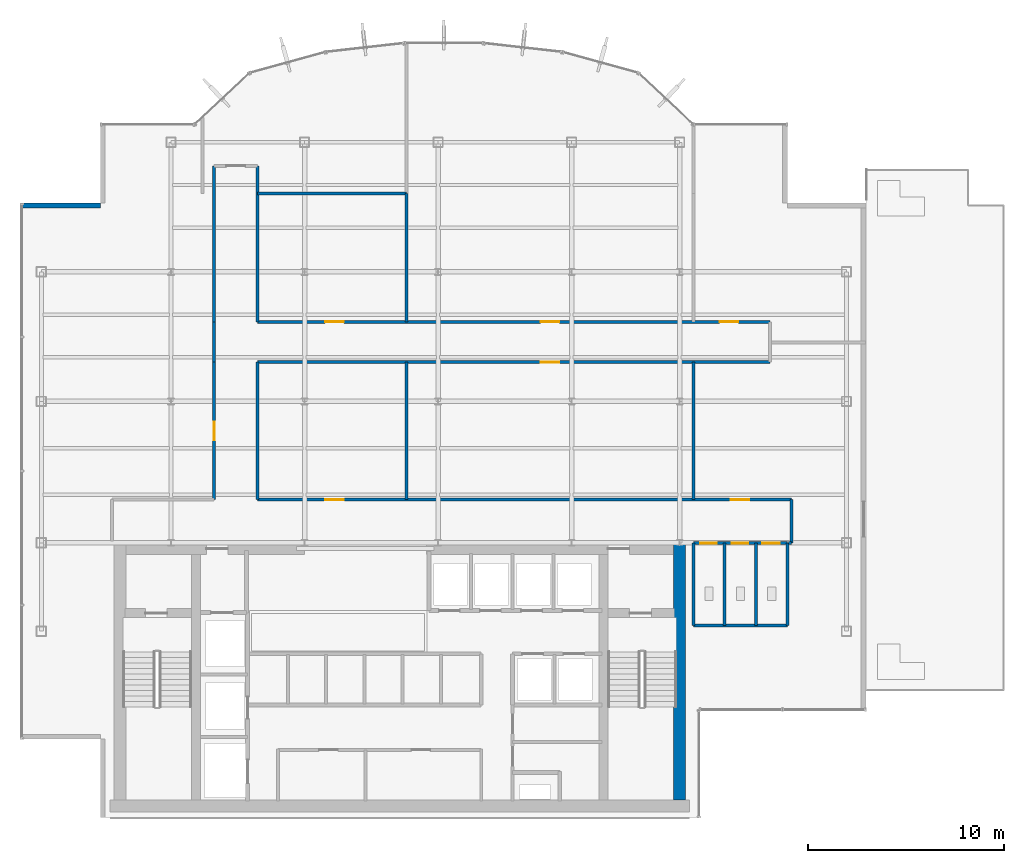
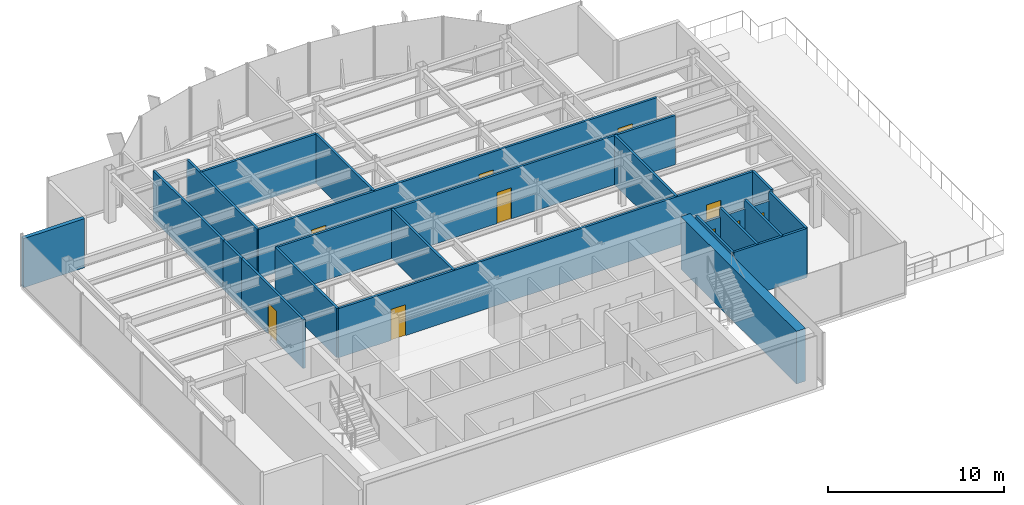
# One storey, part 17 of 21: 22 walls, 10 doors, 10 openings.
"""IFC4 building model written with IfcOpenShell, lengths in metres."""

from ifc_helpers import new_model, si_unit, derived_unit, direction, frame, frame_2d, origin, place, context, subcontext, project, spatial, rectangle, extrude, source, transform, mapped, material, layer, layer_set, type_object, element, fill, save


model = new_model("IFC4")

# Units and contexts
model_context = context("Model", 3, precision=1e-05, world=origin(), true_north=direction((0.0, 1.0)))
body_context = subcontext(model_context, "Body", "Model", "MODEL_VIEW")
ifc_project = project(units=[si_unit("LENGTHUNIT", "METRE"), si_unit("AREAUNIT", "SQUARE_METRE"), si_unit("VOLUMEUNIT", "CUBIC_METRE"), si_unit("PLANEANGLEUNIT", "RADIAN"), si_unit("MASSUNIT", "GRAM", prefix="KILO"), derived_unit("THERMALTRANSMITTANCEUNIT", [(si_unit("POWERUNIT", "WATT"), 1), (si_unit("LENGTHUNIT", "METRE"), -2), (si_unit("THERMODYNAMICTEMPERATUREUNIT", "KELVIN"), -1)])], contexts=[model_context])

# Site, building, storey
site_placement = place(None, origin())
site = spatial("IfcSite", under=ifc_project, at=site_placement, CompositionType="ELEMENT")
building_placement = place(site_placement, origin())
building = spatial("IfcBuilding", under=site, at=building_placement, Name="Skarnbrae Concourse Arena and Tower", CompositionType="ELEMENT")
storey_placement = place(building_placement, frame((0.0, 0.0, 188.60009765625)))
storey = spatial("IfcBuildingStorey", under=building, at=storey_placement, Name="L48", CompositionType="ELEMENT", Elevation=188.60009765625)

# Walls
ifc_material_1 = material(Name="Concrete 50 MPa (C50/60)", Category="concrete")
ifc_layer_1 = layer(ifc_material_1, 0.60009765625)
ifc_layer_set_1 = layer_set([ifc_layer_1], Name="Concrete 50 MPa (C50/60)")
wall_type_1 = type_object("IfcWallType", Name="WALL-CORE-600-C50", PredefinedType="SHEAR", material=ifc_layer_set_1)
shared_shape_1 = source(origin(), body_context, "Body", "SweptSolid", [
    extrude(rectangle(XDim=13.10009765625, YDim=0.60009765625, at=frame_2d((6.550048828125, 0.0))), origin(), (0.0, 0.0, 1.0), 3.64990234375),
])
wall_1_placement = place(storey_placement, frame((33.5, 0.89990234375, 0.0), z_axis=(0.0, 0.0, 1.0), x_axis=(0.0, 1.0, 0.0)))
element("IfcWall", 1, at=wall_1_placement, inside=storey, type_object=wall_type_1, Name="L48 Rear core shear wall CW-E", PredefinedType="SHEAR", context=body_context, shape_type="MappedRepresentation", body=[
    mapped(shared_shape_1, transform((0.0, 0.0, 0.0))),
])
ifc_material_2 = material(Name="Precast concrete 40 MPa (C40/50)", Category="concrete")
ifc_layer_2 = layer(ifc_material_2, 0.25)
ifc_layer_set_2 = layer_set([ifc_layer_2], Name="Precast concrete 40 MPa (C40/50)")
wall_type_2 = type_object("IfcWallType", Name="WALL-EXT-SPANDREL-250", PredefinedType="STANDARD", material=ifc_layer_set_2)
shared_shape_2 = source(origin(), body_context, "Body", "SweptSolid", [
    extrude(rectangle(XDim=4.0, YDim=0.25, at=frame_2d((2.0, 0.0))), origin(), (0.0, 0.0, 1.0), 3.39990234375),
])
wall_2_placement = place(storey_placement, frame((4.0, 31.175048828125, 0.0), z_axis=(0.0, 0.0, 1.0), x_axis=(-1.0, 0.0, 0.0)))
element("IfcWall", 2, at=wall_2_placement, inside=storey, type_object=wall_type_2, Name="L48 Notched corner insulated return wall 17", PredefinedType="STANDARD", context=body_context, shape_type="MappedRepresentation", body=[
    mapped(shared_shape_2, transform((0.0, 0.0, 0.0))),
])
ifc_material_3 = material(Name="Gypsum board on cold-formed steel studs", Category="steel")
ifc_layer_3 = layer(ifc_material_3, 0.14990234375)
ifc_layer_set_3 = layer_set([ifc_layer_3], Name="Gypsum board on cold-formed steel studs")
wall_type_3 = type_object("IfcWallType", Name="WALL-PART-150", PredefinedType="PARTITIONING", material=ifc_layer_set_3)
shared_shape_3 = source(origin(), body_context, "Body", "SweptSolid", [
    extrude(rectangle(XDim=4.800048828125, YDim=0.14990234375, at=frame_2d((2.39990234375, 0.0))), origin(), (0.0, 0.0, 1.0), 3.39990234375),
])
wall_3_placement = place(storey_placement, frame((34.199951171875, 9.800048828125, 0.0), z_axis=(0.0, 0.0, 1.0), x_axis=(1.0, 0.0, 0.0)))
element("IfcWall", 3, at=wall_3_placement, inside=storey, type_object=wall_type_3, Name="L48 Interior partition wall W-L48-WC-S", PredefinedType="PARTITIONING", context=body_context, shape_type="MappedRepresentation", body=[
    mapped(shared_shape_3, transform((0.0, 0.0, 0.0))),
])
shared_shape_4 = source(origin(), body_context, "Body", "SweptSolid", [
    extrude(rectangle(XDim=4.179931640625, YDim=0.14990234375, at=frame_2d((2.08984375, 0.0))), origin(), (0.0, 0.0, 1.0), 3.39990234375),
])
for number, where, z_axis, x_axis, name in (
    (4, (39.0, 9.800048828125, 0.0), (0.0, 0.0, 1.0), (0.0, 1.0, 0.0), "L48 Interior partition wall W-L48-WC-E"),
    (5, (34.199951171875, 9.800048828125, 0.0), (0.0, 0.0, 1.0), (0.0, 1.0, 0.0), "L48 Interior partition wall W-L48-WC-W"),
    (6, (35.800048828125, 9.800048828125, 0.0), (0.0, 0.0, 1.0), (0.0, 1.0, 0.0), "L48 Interior partition wall W-L48-WC-D1"),
    (7, (37.39990234375, 9.800048828125, 0.0), (0.0, 0.0, 1.0), (0.0, 1.0, 0.0), "L48 Interior partition wall W-L48-WC-D2"),
):
    element("IfcWall", number, at=place(storey_placement, frame(where, z_axis=z_axis, x_axis=x_axis)), inside=storey, type_object=wall_type_3, Name=name, PredefinedType="PARTITIONING", context=body_context, shape_type="MappedRepresentation", body=[
        mapped(shared_shape_4, transform((0.0, 0.0, 0.0))),
    ])
ifc_layer_4 = layer(ifc_material_3, 0.14990234375)
ifc_layer_set_4 = layer_set([ifc_layer_4], Name="Gypsum board on cold-formed steel studs")
wall_type_4 = type_object("IfcWallType", Name="WALL-PART-150-1HR", PredefinedType="PARTITIONING", material=ifc_layer_set_4)
shared_shape_5 = source(origin(), body_context, "Body", "SweptSolid", [
    extrude(rectangle(XDim=2.050048828125, YDim=0.14990234375, at=frame_2d((1.02490234375, 0.0))), origin(), (0.0, 0.0, 1.0), 3.39990234375),
])
wall_4_placement = place(storey_placement, frame((9.800048828125, 23.199951171875, 0.0), z_axis=(0.0, 0.0, 1.0), x_axis=(0.0, 1.0, 0.0)))
element("IfcWall", 8, at=wall_4_placement, inside=storey, type_object=wall_type_4, Name="L48 Interior partition wall W-L48-COR-04", PredefinedType="PARTITIONING", context=body_context, shape_type="MappedRepresentation", body=[
    mapped(shared_shape_5, transform((0.0, 0.0, 0.0))),
])
shared_shape_6 = source(origin(), body_context, "Body", "SweptSolid", [
    extrude(rectangle(XDim=2.199951171875, YDim=0.14990234375, at=frame_2d((1.10009765625, 0.0))), origin(), (0.0, 0.0, 1.0), 3.39990234375),
])
wall_5_placement = place(storey_placement, frame((39.199951171875, 16.199951171875, 0.0), z_axis=(0.0, 0.0, 1.0), x_axis=(0.0, -1.0, 0.0)))
element("IfcWall", 9, at=wall_5_placement, inside=storey, type_object=wall_type_4, Name="L48 Interior partition wall W-L48-COR-13", PredefinedType="PARTITIONING", context=body_context, shape_type="MappedRepresentation", body=[
    mapped(shared_shape_6, transform((0.0, 0.0, 0.0))),
])
shared_shape_7 = source(origin(), body_context, "Body", "SweptSolid", [
    extrude(rectangle(XDim=7.60009765625, YDim=0.14990234375, at=frame_2d((3.800048828125, 0.0))), origin(), (0.0, 0.0, 1.0), 3.39990234375),
])
wall_6_placement = place(storey_placement, frame((19.60009765625, 31.800048828125, 0.0), z_axis=(0.0, 0.0, 1.0), x_axis=(-1.0, 0.0, 0.0)))
element("IfcWall", 10, at=wall_6_placement, inside=storey, type_object=wall_type_3, Name="L48 Interior partition wall W-L48-DEM-16", PredefinedType="PARTITIONING", context=body_context, shape_type="MappedRepresentation", body=[
    mapped(shared_shape_7, transform((0.0, 0.0, 0.0))),
])

# Wall, openings, doors
shared_shape_8 = source(origin(), body_context, "Body", "SweptSolid", [
    extrude(rectangle(XDim=4.800048828125, YDim=0.14990234375, at=frame_2d((2.39990234375, 0.0))), origin(), (0.0, 0.0, 1.0), 2.786865234375),
])
wall_7_placement = place(storey_placement, frame((34.199951171875, 13.97998046875, 0.0), z_axis=(0.0, 0.0, 1.0), x_axis=(1.0, 0.0, 0.0)))
wall_7 = element("IfcWall", 11, at=wall_7_placement, inside=storey, type_object=wall_type_3, Name="L48 Interior partition wall W-L48-WC-N", PredefinedType="PARTITIONING", context=body_context, shape_type="MappedRepresentation", body=[
    mapped(shared_shape_8, transform((0.0, 0.0, 0.0))),
])
opening_1_placement = place(wall_7_placement, frame((0.35009765625, 0.0, 0.0)))
opening_1 = element("IfcOpeningElement", 12, at=opening_1_placement, cuts=wall_7, Name="Opening DT-06", PredefinedType="OPENING", context=body_context, shape_type="SweptSolid", body=[
    extrude(rectangle(XDim=0.85009765625, YDim=2.10009765625, at=frame_2d((0.425048828125, 1.050048828125))), frame((0.0, 0.0849609375, 0.0), z_axis=(0.0, -1.0, 0.0), x_axis=(1.0, 0.0, 0.0)), (0.0, 0.0, 1.0), 0.169921875),
])
opening_2_placement = place(wall_7_placement, frame((1.949951171875, 0.0, 0.0)))
opening_2 = element("IfcOpeningElement", 13, at=opening_2_placement, cuts=wall_7, Name="Opening DT-06", PredefinedType="OPENING", context=body_context, shape_type="SweptSolid", body=[
    extrude(rectangle(XDim=0.85009765625, YDim=2.10009765625, at=frame_2d((0.425048828125, 1.050048828125))), frame((0.0, 0.0849609375, 0.0), z_axis=(0.0, -1.0, 0.0), x_axis=(1.0, 0.0, 0.0)), (0.0, 0.0, 1.0), 0.169921875),
])
opening_3_placement = place(wall_7_placement, frame((3.5, 0.0, 0.0)))
opening_3 = element("IfcOpeningElement", 14, at=opening_3_placement, cuts=wall_7, Name="Opening DT-05", PredefinedType="OPENING", context=body_context, shape_type="SweptSolid", body=[
    extrude(rectangle(XDim=0.89990234375, YDim=2.10009765625, at=frame_2d((0.449951171875, 1.050048828125))), frame((0.0, 0.0849609375, 0.0), z_axis=(0.0, -1.0, 0.0), x_axis=(1.0, 0.0, 0.0)), (0.0, 0.0, 1.0), 0.169921875),
])
ifc_material_4 = material(Name="Architectural oak veneer timber leaf", Category="wood")
door_type_1 = type_object("IfcDoorType", Name="DOOR-INT-850", OperationType="NOTDEFINED", PredefinedType="DOOR", material=ifc_material_4)
shared_shape_9 = source(origin(), body_context, "Body", "SweptSolid", [
    extrude(rectangle(XDim=0.85009765625, YDim=2.10009765625, at=frame_2d((0.425048828125, 1.050048828125))), frame((0.0, 0.02490234375, 0.0), z_axis=(0.0, -1.0, 0.0), x_axis=(1.0, 0.0, 0.0)), (0.0, 0.0, 1.0), 0.050048828125),
])
door_1_placement = place(opening_1_placement, frame((0.85009765625, 0.0, 0.0), z_axis=(0.0, 0.0, 1.0), x_axis=(-1.0, 0.0, 0.0)))
door_1 = element("IfcDoor", 15, at=door_1_placement, inside=storey, type_object=door_type_1, Name="D-1484 Male Washroom Door", OperationType="SINGLE_SWING_LEFT", OverallHeight=2.10009765625, OverallWidth=0.85009765625, PredefinedType="DOOR", context=body_context, shape_type="MappedRepresentation", body=[
    mapped(shared_shape_9, transform((0.0, 0.0, 0.0))),
])
fill(opening_1, door_1)
door_2_placement = place(opening_2_placement, frame((0.85009765625, 0.0, 0.0), z_axis=(0.0, 0.0, 1.0), x_axis=(-1.0, 0.0, 0.0)))
door_2 = element("IfcDoor", 16, at=door_2_placement, inside=storey, type_object=door_type_1, Name="D-1485 Female Washroom Door", OperationType="SINGLE_SWING_RIGHT", OverallHeight=2.10009765625, OverallWidth=0.85009765625, PredefinedType="DOOR", context=body_context, shape_type="MappedRepresentation", body=[
    mapped(shared_shape_9, transform((0.0, 0.0, 0.0))),
])
fill(opening_2, door_2)
door_type_2 = type_object("IfcDoorType", Name="DOOR-INT-900", OperationType="NOTDEFINED", PredefinedType="DOOR", material=ifc_material_4)
shared_shape_10 = source(origin(), body_context, "Body", "SweptSolid", [
    extrude(rectangle(XDim=0.89990234375, YDim=2.10009765625, at=frame_2d((0.449951171875, 1.050048828125))), frame((0.0, 0.02490234375, 0.0), z_axis=(0.0, -1.0, 0.0), x_axis=(1.0, 0.0, 0.0)), (0.0, 0.0, 1.0), 0.050048828125),
])
door_3_placement = place(opening_3_placement, frame((0.89990234375, 0.0, 0.0), z_axis=(0.0, 0.0, 1.0), x_axis=(-1.0, 0.0, 0.0)))
door_3 = element("IfcDoor", 17, at=door_3_placement, inside=storey, type_object=door_type_2, Name="D-1486 Accessible WC Door", OperationType="SINGLE_SWING_LEFT", OverallHeight=2.10009765625, OverallWidth=0.89990234375, PredefinedType="DOOR", context=body_context, shape_type="MappedRepresentation", body=[
    mapped(shared_shape_10, transform((0.0, 0.0, 0.0))),
])
fill(opening_3, door_3)

# Wall, opening, door
shared_shape_11 = source(origin(), body_context, "Body", "SweptSolid", [
    extrude(rectangle(XDim=7.0, YDim=0.14990234375, at=frame_2d((3.5, 0.0))), origin(), (0.0, 0.0, 1.0), 3.39990234375),
])
wall_8_placement = place(storey_placement, frame((9.800048828125, 16.199951171875, 0.0), z_axis=(0.0, 0.0, 1.0), x_axis=(0.0, 1.0, 0.0)))
wall_8 = element("IfcWall", 18, at=wall_8_placement, inside=storey, type_object=wall_type_4, Name="L48 Interior partition wall W-L48-COR-03", PredefinedType="PARTITIONING", context=body_context, shape_type="MappedRepresentation", body=[
    mapped(shared_shape_11, transform((0.0, 0.0, 0.0))),
])
opening_4_placement = place(wall_8_placement, frame((3.02490234375, 0.0, 0.0)))
opening_4 = element("IfcOpeningElement", 19, at=opening_4_placement, cuts=wall_8, Name="Opening DT-04", PredefinedType="OPENING", context=body_context, shape_type="SweptSolid", body=[
    extrude(rectangle(XDim=0.949951171875, YDim=2.14990234375, at=frame_2d((0.47509765625, 1.074951171875))), frame((0.0, 0.0849609375, 0.0), z_axis=(0.0, -1.0, 0.0), x_axis=(1.0, 0.0, 0.0)), (0.0, 0.0, 1.0), 0.169921875),
])
ifc_material_5 = material(Name="Steel CSA G40.21 350W", Category="steel")
door_type_3 = type_object("IfcDoorType", Name="DOOR-INT-950-45M", OperationType="NOTDEFINED", PredefinedType="DOOR", material=ifc_material_5)
shared_shape_12 = source(origin(), body_context, "Body", "SweptSolid", [
    extrude(rectangle(XDim=0.949951171875, YDim=2.14990234375, at=frame_2d((0.47509765625, 1.074951171875))), frame((0.0, 0.02490234375, 0.0), z_axis=(0.0, -1.0, 0.0), x_axis=(1.0, 0.0, 0.0)), (0.0, 0.0, 1.0), 0.050048828125),
])
door_4_placement = place(opening_4_placement, origin())
door_4 = element("IfcDoor", 20, at=door_4_placement, inside=storey, type_object=door_type_3, Name="D-1487 L48 Suite Door 01", OperationType="SINGLE_SWING_RIGHT", OverallHeight=2.14990234375, OverallWidth=0.949951171875, PredefinedType="DOOR", context=body_context, shape_type="MappedRepresentation", body=[
    mapped(shared_shape_12, transform((0.0, 0.0, 0.0))),
])
fill(opening_4, door_4)

# Walls
wall_9_placement = place(storey_placement, frame((12.0, 23.199951171875, 0.0), z_axis=(0.0, 0.0, 1.0), x_axis=(0.0, -1.0, 0.0)))
element("IfcWall", 21, at=wall_9_placement, inside=storey, type_object=wall_type_4, Name="L48 Interior partition wall W-L48-COR-11", PredefinedType="PARTITIONING", context=body_context, shape_type="MappedRepresentation", body=[
    mapped(shared_shape_11, transform((0.0, 0.0, 0.0))),
])
for number, where, z_axis, x_axis, name in (
    (22, (19.60009765625, 23.199951171875, 0.0), (0.0, 0.0, 1.0), (0.0, -1.0, 0.0), "L48 Interior partition wall W-L48-DEM-17"),
    (23, (34.199951171875, 23.199951171875, 0.0), (0.0, 0.0, 1.0), (0.0, -1.0, 0.0), "L48 Interior partition wall W-L48-DEM-20"),
):
    element("IfcWall", number, at=place(storey_placement, frame(where, z_axis=z_axis, x_axis=x_axis)), inside=storey, type_object=wall_type_3, Name=name, PredefinedType="PARTITIONING", context=body_context, shape_type="MappedRepresentation", body=[
        mapped(shared_shape_11, transform((0.0, 0.0, 0.0))),
    ])
shared_shape_13 = source(origin(), body_context, "Body", "SweptSolid", [
    extrude(rectangle(XDim=7.949951171875, YDim=0.14990234375, at=frame_2d((3.97509765625, 0.0))), origin(), (0.0, 0.0, 1.0), 3.39990234375),
])
for number, where, z_axis, x_axis, name in (
    (24, (9.800048828125, 25.25, 0.0), (0.0, 0.0, 1.0), (0.0, 1.0, 0.0), "L48 Interior partition wall W-L48-COR-05"),
    (25, (12.0, 33.199951171875, 0.0), (0.0, 0.0, 1.0), (0.0, -1.0, 0.0), "L48 Interior partition wall W-L48-COR-07"),
):
    element("IfcWall", number, at=place(storey_placement, frame(where, z_axis=z_axis, x_axis=x_axis)), inside=storey, type_object=wall_type_4, Name=name, PredefinedType="PARTITIONING", context=body_context, shape_type="MappedRepresentation", body=[
        mapped(shared_shape_13, transform((0.0, 0.0, 0.0))),
    ])

# Wall, openings, doors
shared_shape_14 = source(origin(), body_context, "Body", "SweptSolid", [
    extrude(rectangle(XDim=26.10009765625, YDim=0.14990234375, at=frame_2d((13.050048828125, 0.0))), origin(), (0.0, 0.0, 1.0), 3.39990234375),
])
wall_10_placement = place(storey_placement, frame((12.0, 25.25, 0.0), z_axis=(0.0, 0.0, 1.0), x_axis=(1.0, 0.0, 0.0)))
wall_10 = element("IfcWall", 26, at=wall_10_placement, inside=storey, type_object=wall_type_4, Name="L48 Interior partition wall W-L48-COR-08", PredefinedType="PARTITIONING", context=body_context, shape_type="MappedRepresentation", body=[
    mapped(shared_shape_14, transform((0.0, 0.0, 0.0))),
])
opening_5_placement = place(wall_10_placement, frame((3.455078125, 0.0, 0.0)))
opening_5 = element("IfcOpeningElement", 27, at=opening_5_placement, cuts=wall_10, Name="Opening DT-04", PredefinedType="OPENING", context=body_context, shape_type="SweptSolid", body=[
    extrude(rectangle(XDim=0.949951171875, YDim=2.14990234375, at=frame_2d((0.47509765625, 1.074951171875))), frame((0.0, 0.0849609375, 0.0), z_axis=(0.0, -1.0, 0.0), x_axis=(1.0, 0.0, 0.0)), (0.0, 0.0, 1.0), 0.169921875),
])
opening_6_placement = place(wall_10_placement, frame((14.425048828125, 0.0, 0.0)))
opening_6 = element("IfcOpeningElement", 28, at=opening_6_placement, cuts=wall_10, Name="Opening DT-04", PredefinedType="OPENING", context=body_context, shape_type="SweptSolid", body=[
    extrude(rectangle(XDim=0.949951171875, YDim=2.14990234375, at=frame_2d((0.47509765625, 1.074951171875))), frame((0.0, 0.0849609375, 0.0), z_axis=(0.0, -1.0, 0.0), x_axis=(1.0, 0.0, 0.0)), (0.0, 0.0, 1.0), 0.169921875),
])
opening_7_placement = place(wall_10_placement, frame((23.544921875, 0.0, 0.0)))
opening_7 = element("IfcOpeningElement", 29, at=opening_7_placement, cuts=wall_10, Name="Opening DT-04", PredefinedType="OPENING", context=body_context, shape_type="SweptSolid", body=[
    extrude(rectangle(XDim=0.949951171875, YDim=2.14990234375, at=frame_2d((0.47509765625, 1.074951171875))), frame((0.0, 0.0849609375, 0.0), z_axis=(0.0, -1.0, 0.0), x_axis=(1.0, 0.0, 0.0)), (0.0, 0.0, 1.0), 0.169921875),
])
door_5_placement = place(opening_5_placement, origin())
door_5 = element("IfcDoor", 30, at=door_5_placement, inside=storey, type_object=door_type_3, Name="D-1490 L48 Suite Door 04", OperationType="SINGLE_SWING_LEFT", OverallHeight=2.14990234375, OverallWidth=0.949951171875, PredefinedType="DOOR", context=body_context, shape_type="MappedRepresentation", body=[
    mapped(shared_shape_12, transform((0.0, 0.0, 0.0))),
])
fill(opening_5, door_5)
door_6_placement = place(opening_6_placement, origin())
door_6 = element("IfcDoor", 31, at=door_6_placement, inside=storey, type_object=door_type_3, Name="D-1491 L48 Suite Door 05", OperationType="SINGLE_SWING_RIGHT", OverallHeight=2.14990234375, OverallWidth=0.949951171875, PredefinedType="DOOR", context=body_context, shape_type="MappedRepresentation", body=[
    mapped(shared_shape_12, transform((0.0, 0.0, 0.0))),
])
fill(opening_6, door_6)
door_7_placement = place(opening_7_placement, origin())
door_7 = element("IfcDoor", 32, at=door_7_placement, inside=storey, type_object=door_type_3, Name="D-1493 L48 Suite Door 07", OperationType="SINGLE_SWING_RIGHT", OverallHeight=2.14990234375, OverallWidth=0.949951171875, PredefinedType="DOOR", context=body_context, shape_type="MappedRepresentation", body=[
    mapped(shared_shape_12, transform((0.0, 0.0, 0.0))),
])
fill(opening_7, door_7)

# Wall, opening, door
wall_11_placement = place(storey_placement, frame((38.10009765625, 23.199951171875, 0.0), z_axis=(0.0, 0.0, 1.0), x_axis=(-1.0, 0.0, 0.0)))
wall_11 = element("IfcWall", 33, at=wall_11_placement, inside=storey, type_object=wall_type_4, Name="L48 Interior partition wall W-L48-COR-10", PredefinedType="PARTITIONING", context=body_context, shape_type="MappedRepresentation", body=[
    mapped(shared_shape_14, transform((0.0, 0.0, 0.0))),
])
opening_8_placement = place(wall_11_placement, frame((10.72509765625, 0.0, 0.0)))
opening_8 = element("IfcOpeningElement", 34, at=opening_8_placement, cuts=wall_11, Name="Opening DT-04", PredefinedType="OPENING", context=body_context, shape_type="SweptSolid", body=[
    extrude(rectangle(XDim=0.949951171875, YDim=2.14990234375, at=frame_2d((0.47509765625, 1.074951171875))), frame((0.0, 0.0849609375, 0.0), z_axis=(0.0, -1.0, 0.0), x_axis=(1.0, 0.0, 0.0)), (0.0, 0.0, 1.0), 0.169921875),
])
door_8_placement = place(opening_8_placement, origin())
door_8 = element("IfcDoor", 35, at=door_8_placement, inside=storey, type_object=door_type_3, Name="D-1492 L48 Suite Door 06", OperationType="SINGLE_SWING_LEFT", OverallHeight=2.14990234375, OverallWidth=0.949951171875, PredefinedType="DOOR", context=body_context, shape_type="MappedRepresentation", body=[
    mapped(shared_shape_12, transform((0.0, 0.0, 0.0))),
])
fill(opening_8, door_8)

# Wall, openings, doors
shared_shape_15 = source(origin(), body_context, "Body", "SweptSolid", [
    extrude(rectangle(XDim=27.199951171875, YDim=0.14990234375, at=frame_2d((13.60009765625, 0.0))), origin(), (0.0, 0.0, 1.0), 3.39990234375),
])
wall_12_placement = place(storey_placement, frame((12.0, 16.199951171875, 0.0), z_axis=(0.0, 0.0, 1.0), x_axis=(1.0, 0.0, 0.0)))
wall_12 = element("IfcWall", 36, at=wall_12_placement, inside=storey, type_object=wall_type_4, Name="L48 Interior partition wall W-L48-COR-12", PredefinedType="PARTITIONING", context=body_context, shape_type="MappedRepresentation", body=[
    mapped(shared_shape_15, transform((0.0, 0.0, 0.0))),
])
opening_9_placement = place(wall_12_placement, frame((3.455078125, 0.0, 0.0)))
opening_9 = element("IfcOpeningElement", 37, at=opening_9_placement, cuts=wall_12, Name="Opening DT-04", PredefinedType="OPENING", context=body_context, shape_type="SweptSolid", body=[
    extrude(rectangle(XDim=0.949951171875, YDim=2.14990234375, at=frame_2d((0.47509765625, 1.074951171875))), frame((0.0, 0.0849609375, 0.0), z_axis=(0.0, -1.0, 0.0), x_axis=(1.0, 0.0, 0.0)), (0.0, 0.0, 1.0), 0.169921875),
])
opening_10_placement = place(wall_12_placement, frame((24.094970703125, 0.0, 0.0)))
opening_10 = element("IfcOpeningElement", 38, at=opening_10_placement, cuts=wall_12, Name="Opening DT-04", PredefinedType="OPENING", context=body_context, shape_type="SweptSolid", body=[
    extrude(rectangle(XDim=0.949951171875, YDim=2.14990234375, at=frame_2d((0.47509765625, 1.074951171875))), frame((0.0, 0.0849609375, 0.0), z_axis=(0.0, -1.0, 0.0), x_axis=(1.0, 0.0, 0.0)), (0.0, 0.0, 1.0), 0.169921875),
])
door_9_placement = place(opening_9_placement, origin())
door_9 = element("IfcDoor", 39, at=door_9_placement, inside=storey, type_object=door_type_3, Name="D-1489 L48 Suite Door 03", OperationType="SINGLE_SWING_RIGHT", OverallHeight=2.14990234375, OverallWidth=0.949951171875, PredefinedType="DOOR", context=body_context, shape_type="MappedRepresentation", body=[
    mapped(shared_shape_12, transform((0.0, 0.0, 0.0))),
])
fill(opening_9, door_9)
door_10_placement = place(opening_10_placement, origin())
door_10 = element("IfcDoor", 40, at=door_10_placement, inside=storey, type_object=door_type_3, Name="D-1494 L48 Suite Door 08", OperationType="SINGLE_SWING_LEFT", OverallHeight=2.14990234375, OverallWidth=0.949951171875, PredefinedType="DOOR", context=body_context, shape_type="MappedRepresentation", body=[
    mapped(shared_shape_12, transform((0.0, 0.0, 0.0))),
])
fill(opening_10, door_10)

# Walls
shared_shape_16 = source(origin(), body_context, "Body", "SweptSolid", [
    extrude(rectangle(XDim=0.14990234375, YDim=0.14990234375, at=frame_2d((0.074951171875, 0.0))), origin(), (0.0, 0.0, 1.0), 3.39990234375),
])
wall_13_placement = place(storey_placement, frame((39.199951171875, 14.0, 0.0), z_axis=(0.0, 0.0, 1.0), x_axis=(-1.0, 0.0, 0.0)))
element("IfcWall", 41, at=wall_13_placement, inside=storey, type_object=wall_type_4, Name="L48 Interior partition wall W-L48-COR-14", PredefinedType="PARTITIONING", context=body_context, shape_type="MappedRepresentation", body=[
    mapped(shared_shape_16, transform((0.0, 0.0, 0.0))),
])
shared_shape_17 = source(origin(), body_context, "Body", "SweptSolid", [
    extrude(rectangle(XDim=6.550048828125, YDim=0.14990234375, at=frame_2d((3.27490234375, 0.0))), origin(), (0.0, 0.0, 1.0), 3.39990234375),
])
wall_14_placement = place(storey_placement, frame((19.60009765625, 31.800048828125, 0.0), z_axis=(0.0, 0.0, 1.0), x_axis=(0.0, -1.0, 0.0)))
element("IfcWall", 42, at=wall_14_placement, inside=storey, type_object=wall_type_3, Name="L48 Interior partition wall W-L48-DEM-18", PredefinedType="PARTITIONING", context=body_context, shape_type="MappedRepresentation", body=[
    mapped(shared_shape_17, transform((0.0, 0.0, 0.0))),
])

save(model, "model.ifc")
